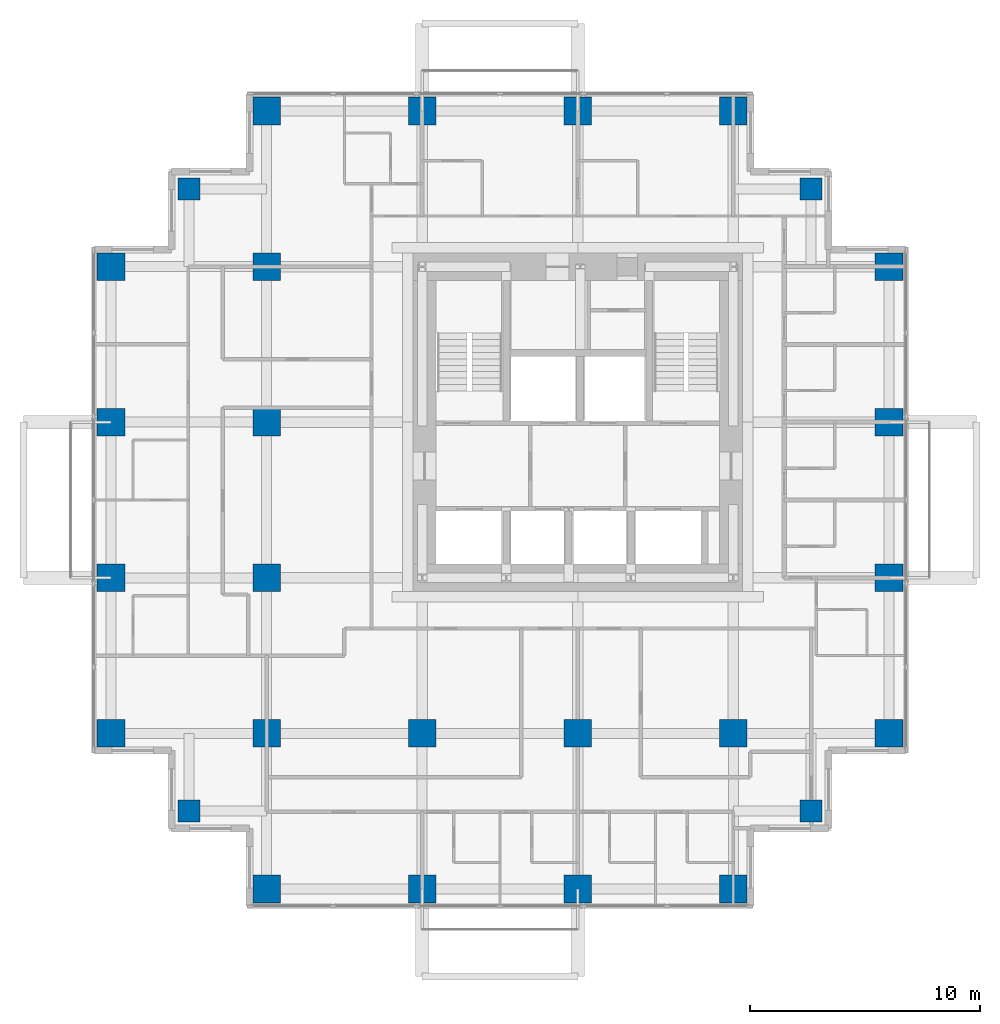
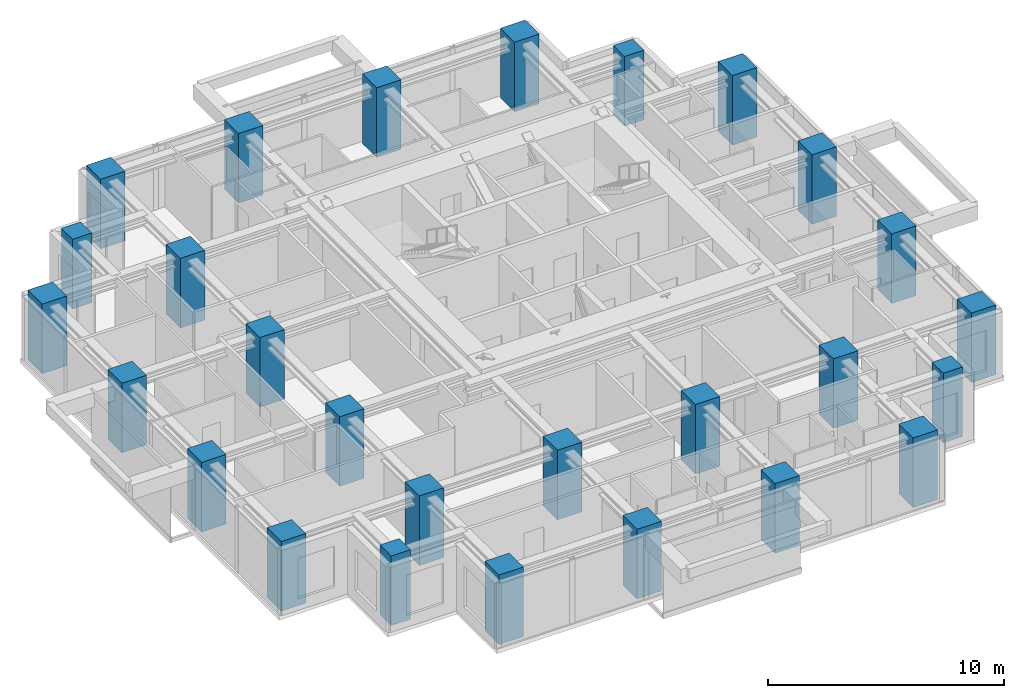
# One storey, part 1 of 10: 27 columns.
"""IFC4 building model written with IfcOpenShell, lengths in metres."""

from ifc_helpers import new_model, si_unit, direction, frame, origin, origin_2d, place, context, subcontext, project, spatial, rectangle, extrude, material, material_profile, profile_set, type_object, element, save


model = new_model("IFC4")

# Units and contexts
model_context = context("Model", 3, precision=1e-05, world=origin(), true_north=direction((0.0, 1.0)))
body_context = subcontext(model_context, "Body", "Model", "MODEL_VIEW")
ifc_project = project(units=[si_unit("LENGTHUNIT", "METRE"), si_unit("AREAUNIT", "SQUARE_METRE"), si_unit("VOLUMEUNIT", "CUBIC_METRE"), si_unit("PLANEANGLEUNIT", "RADIAN"), si_unit("MASSUNIT", "GRAM", prefix="KILO")], contexts=[model_context])

# Site, building, storey
site_placement = place(None, origin())
site = spatial("IfcSite", under=ifc_project, at=site_placement, CompositionType="ELEMENT")
building_placement = place(site_placement, origin())
building = spatial("IfcBuilding", under=site, at=building_placement, Name="Nyansa Garden Tower", CompositionType="ELEMENT")
storey_placement = place(building_placement, frame((0.0, 0.0, 189.0)))
storey = spatial("IfcBuildingStorey", under=building, at=storey_placement, Name="L51", CompositionType="ELEMENT", Elevation=189.0)

# Columns
ifc_material_1 = material(Name="Concrete C70/85", Category="concrete")
ifc_material_profile_1 = material_profile(ifc_material_1, rectangle(XDim=1.199951171875, YDim=1.199951171875, at=origin_2d()), Name="RC 1200x1200")
ifc_profile_set_1 = profile_set([ifc_material_profile_1], Name="Concrete C70/85")
column_type_1 = type_object("IfcColumnType", Name="Column C120 RC 1200x1200", PredefinedType="COLUMN", material=ifc_profile_set_1)
for number, where, z_axis, x_axis, name in (
    (1, (0.0, 6.75, 0.0), (0.0, 0.0, 1.0), (1.0, 0.0, 0.0), "Column 2/E L51"),
    (2, (0.0, 13.5, 0.0), (0.0, 0.0, 1.0), (1.0, 0.0, 0.0), "Column 2/F L51"),
    (3, (0.0, 20.25, 0.0), (0.0, 0.0, 1.0), (1.0, 0.0, 0.0), "Column 2/G L51"),
    (4, (0.0, 27.0, 0.0), (0.0, 0.0, 1.0), (1.0, 0.0, 0.0), "Column 2/H L51"),
    (5, (6.75, 0.0, 0.0), (0.0, 0.0, 1.0), (1.0, 0.0, 0.0), "Column 3/D L51"),
    (6, (6.75, 6.75, 0.0), (0.0, 0.0, 1.0), (1.0, 0.0, 0.0), "Column 3/E L51"),
    (7, (6.75, 13.5, 0.0), (0.0, 0.0, 1.0), (1.0, 0.0, 0.0), "Column 3/F L51"),
    (8, (6.75, 20.25, 0.0), (0.0, 0.0, 1.0), (1.0, 0.0, 0.0), "Column 3/G L51"),
    (9, (6.75, 27.0, 0.0), (0.0, 0.0, 1.0), (1.0, 0.0, 0.0), "Column 3/H L51"),
    (10, (6.75, 33.75, 0.0), (0.0, 0.0, 1.0), (1.0, 0.0, 0.0), "Column 3/J L51"),
    (11, (13.5, 0.0, 0.0), (0.0, 0.0, 1.0), (1.0, 0.0, 0.0), "Column 4/D L51"),
    (12, (13.5, 6.75, 0.0), (0.0, 0.0, 1.0), (1.0, 0.0, 0.0), "Column 4/E L51"),
    (13, (13.5, 33.75, 0.0), (0.0, 0.0, 1.0), (1.0, 0.0, 0.0), "Column 4/J L51"),
    (14, (20.25, 0.0, 0.0), (0.0, 0.0, 1.0), (1.0, 0.0, 0.0), "Column 5/D L51"),
    (15, (20.25, 6.75, 0.0), (0.0, 0.0, 1.0), (1.0, 0.0, 0.0), "Column 5/E L51"),
    (16, (20.25, 33.75, 0.0), (0.0, 0.0, 1.0), (1.0, 0.0, 0.0), "Column 5/J L51"),
    (17, (27.0, 0.0, 0.0), (0.0, 0.0, 1.0), (1.0, 0.0, 0.0), "Column 6/D L51"),
    (18, (27.0, 6.75, 0.0), (0.0, 0.0, 1.0), (1.0, 0.0, 0.0), "Column 6/E L51"),
    (19, (27.0, 33.75, 0.0), (0.0, 0.0, 1.0), (1.0, 0.0, 0.0), "Column 6/J L51"),
    (20, (33.75, 6.75, 0.0), (0.0, 0.0, 1.0), (1.0, 0.0, 0.0), "Column 7/E L51"),
    (21, (33.75, 13.5, 0.0), (0.0, 0.0, 1.0), (1.0, 0.0, 0.0), "Column 7/F L51"),
    (22, (33.75, 20.25, 0.0), (0.0, 0.0, 1.0), (1.0, 0.0, 0.0), "Column 7/G L51"),
    (23, (33.75, 27.0, 0.0), (0.0, 0.0, 1.0), (1.0, 0.0, 0.0), "Column 7/H L51"),
):
    element("IfcColumn", number, at=place(storey_placement, frame(where, z_axis=z_axis, x_axis=x_axis)), inside=storey, type_object=column_type_1, Name=name, PredefinedType="COLUMN", context=body_context, shape_type="SweptSolid", body=[
        extrude(rectangle(XDim=1.199951171875, YDim=1.199951171875, at=origin_2d()), origin(), (0.0, 0.0, 1.0), 3.60009765625),
    ])
ifc_material_2 = material(Name="Concrete C70/85", Category="concrete")
ifc_material_profile_2 = material_profile(ifc_material_2, rectangle(XDim=0.949951171875, YDim=0.949951171875, at=origin_2d()), Name="RC 950x950")
ifc_profile_set_2 = profile_set([ifc_material_profile_2], Name="Concrete C70/85")
column_type_2 = type_object("IfcColumnType", Name="Column C95 RC 950x950", PredefinedType="COLUMN", material=ifc_profile_set_2)
for number, where, z_axis, x_axis, name in (
    (24, (3.375, 3.375, 0.0), (0.0, 0.0, 1.0), (1.0, 0.0, 0.0), "Column x3.375/y3.375 L51"),
    (25, (3.375, 30.375, 0.0), (0.0, 0.0, 1.0), (1.0, 0.0, 0.0), "Column x3.375/y30.375 L51"),
    (26, (30.375, 3.375, 0.0), (0.0, 0.0, 1.0), (1.0, 0.0, 0.0), "Column x30.375/y3.375 L51"),
    (27, (30.375, 30.375, 0.0), (0.0, 0.0, 1.0), (1.0, 0.0, 0.0), "Column x30.375/y30.375 L51"),
):
    element("IfcColumn", number, at=place(storey_placement, frame(where, z_axis=z_axis, x_axis=x_axis)), inside=storey, type_object=column_type_2, Name=name, PredefinedType="COLUMN", context=body_context, shape_type="SweptSolid", body=[
        extrude(rectangle(XDim=0.949951171875, YDim=0.949951171875, at=origin_2d()), origin(), (0.0, 0.0, 1.0), 3.60009765625),
    ])

save(model, "model.ifc")
